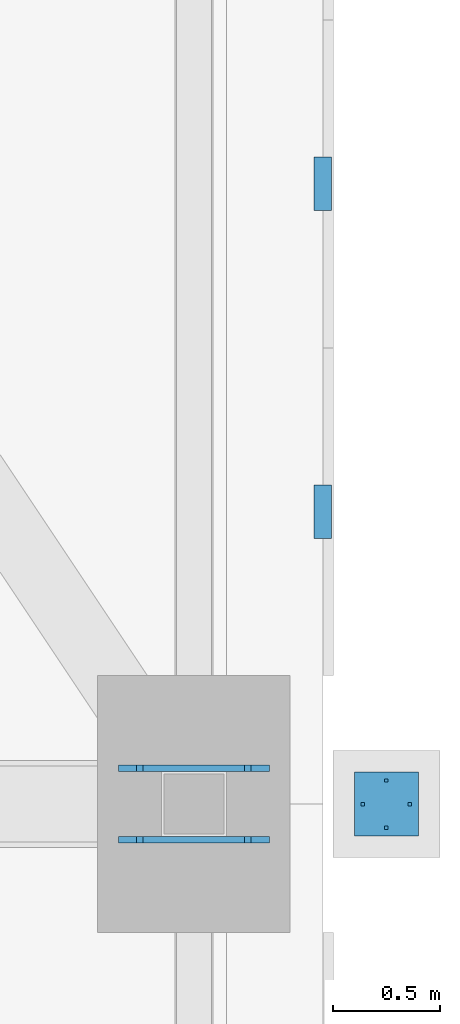
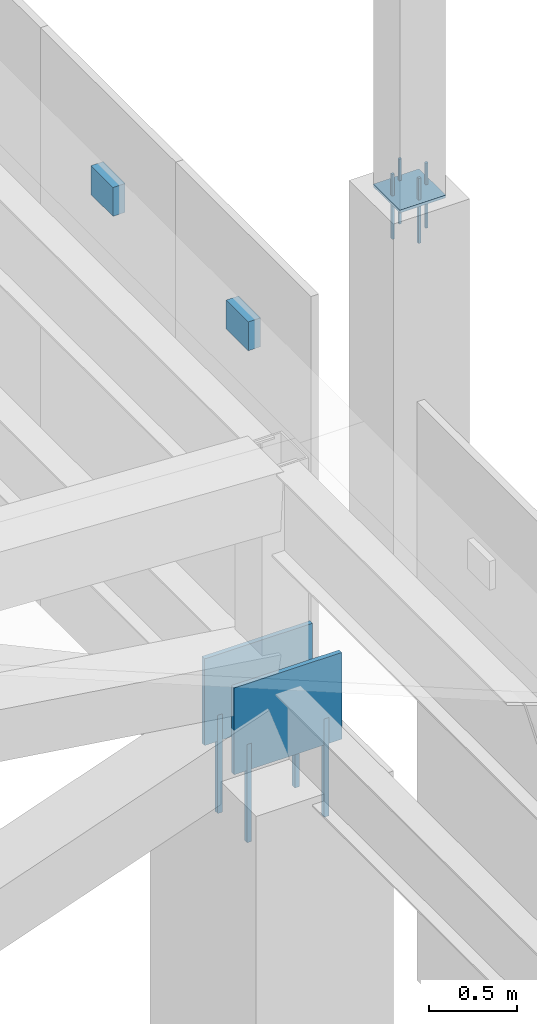
# One storey, part 195 of 278: 8 mechanical fasteners, 5 discrete accessories.
"""IFC4 building model written with IfcOpenShell, lengths in metres."""

from ifc_helpers import new_model, si_unit, direction, frame, origin, origin_2d, place, context, subcontext, project, spatial, rectangle, extrude, material, layer, layer_set, type_object, element, save


model = new_model("IFC4")

# Units and contexts
model_context = context("Model", 3, precision=1e-05, world=origin(), true_north=direction((0.0, 1.0)))
body_context = subcontext(model_context, "Body", "Model", "MODEL_VIEW")
ifc_project = project(units=[si_unit("LENGTHUNIT", "METRE"), si_unit("AREAUNIT", "SQUARE_METRE"), si_unit("VOLUMEUNIT", "CUBIC_METRE"), si_unit("PLANEANGLEUNIT", "RADIAN"), si_unit("MASSUNIT", "GRAM", prefix="KILO")], contexts=[model_context])

# Site, building, storey
site_placement = place(None, origin())
site = spatial("IfcSite", under=ifc_project, at=site_placement, CompositionType="ELEMENT")
building_placement = place(site_placement, origin())
building = spatial("IfcBuilding", under=site, at=building_placement, Name="Ogive Plaza Stadium", CompositionType="ELEMENT")
storey_placement = place(building_placement, frame((0.0, 0.0, 29.0)))
storey = spatial("IfcBuildingStorey", under=building, at=storey_placement, Name="Roof", CompositionType="ELEMENT", Elevation=29.0)

# Mechanical fasteners
ifc_material_1 = material(Name="Steel ASTM A992 Grade 50", Category="steel")
mechanical_fastener_type_1 = type_object("IfcMechanicalFastenerType", Name="Anchor bolt M30 x 600", PredefinedType="ANCHORBOLT", material=ifc_material_1)
for number, where, z_axis, x_axis, name in (
    (1, (84.25244140625, -22.33349609375, 3.0), (0.0, 0.0, 1.0), (1.0, 0.0, 0.0), "ANCHOR BOLT 06 BF 1.1"),
    (2, (83.74755859375, -22.33349609375, 3.0), (0.0, 0.0, 1.0), (1.0, 0.0, 0.0), "ANCHOR BOLT 06 BF 1.2"),
    (3, (84.25244140625, -22.66650390625, 3.0), (0.0, 0.0, 1.0), (1.0, 0.0, 0.0), "ANCHOR BOLT 06 BF 2.1"),
    (4, (83.74755859375, -22.66650390625, 3.0), (0.0, 0.0, 1.0), (1.0, 0.0, 0.0), "ANCHOR BOLT 06 BF 2.2"),
):
    element("IfcMechanicalFastener", number, at=place(storey_placement, frame(where, z_axis=z_axis, x_axis=x_axis)), inside=storey, type_object=mechanical_fastener_type_1, Name=name, PredefinedType="ANCHORBOLT", context=body_context, shape_type="SweptSolid", body=[
        extrude(rectangle(XDim=0.030029296875, YDim=0.030029296875, at=origin_2d()), origin(), (0.0, 0.0, 1.0), 0.679931640625),
    ])
ifc_material_2 = material(Name="Steel ASTM A992 Grade 50", Category="steel")
mechanical_fastener_type_2 = type_object("IfcMechanicalFastenerType", Name="Spire anchor bolt M16 x 450", PredefinedType="ANCHORBOLT", material=ifc_material_2)
for number, where, z_axis, x_axis, name in (
    (5, (85.010009765625, -22.5, 6.7001953125), (0.0, 0.0, 1.0), (1.0, 0.0, 0.0), "SPIRE ANCHOR BOLT 06 1"),
    (6, (84.7900390625, -22.5, 6.7001953125), (0.0, 0.0, 1.0), (1.0, 0.0, 0.0), "SPIRE ANCHOR BOLT 06 2"),
    (7, (84.89990234375, -22.389892578125, 6.7001953125), (0.0, 0.0, 1.0), (1.0, 0.0, 0.0), "SPIRE ANCHOR BOLT 06 3"),
    (8, (84.89990234375, -22.610107421875, 6.7001953125), (0.0, 0.0, 1.0), (1.0, 0.0, 0.0), "SPIRE ANCHOR BOLT 06 4"),
):
    element("IfcMechanicalFastener", number, at=place(storey_placement, frame(where, z_axis=z_axis, x_axis=x_axis)), inside=storey, type_object=mechanical_fastener_type_2, Name=name, PredefinedType="ANCHORBOLT", context=body_context, shape_type="SweptSolid", body=[
        extrude(rectangle(XDim=0.01611328125, YDim=0.01611328125, at=origin_2d()), origin(), (0.0, 0.0, 1.0), 0.449951171875),
    ])

# Discrete accessories
ifc_material_3 = material(Name="Steel ASTM A992 Grade 50", Category="steel")
ifc_layer_1 = layer(ifc_material_3, 0.02001953125)
ifc_layer_set_1 = layer_set([ifc_layer_1], Name="Steel ASTM A992 Grade 50")
discrete_accessory_type_1 = type_object("IfcDiscreteAccessoryType", Name="Spire seat plate 20", PredefinedType="ANCHORPLATE", material=ifc_layer_set_1)
discrete_accessory_placement = place(storey_placement, frame((84.89990234375, -22.5, 6.98095703125), z_axis=(0.0, 0.0, 1.0), x_axis=(1.0, 0.0, 0.0)))
element("IfcDiscreteAccessory", 9, at=discrete_accessory_placement, inside=storey, type_object=discrete_accessory_type_1, Name="SPIRE SEAT PLATE 06", PredefinedType="ANCHORPLATE", context=body_context, shape_type="SweptSolid", body=[
    extrude(rectangle(XDim=0.300048828125, YDim=0.300048828125, at=origin_2d()), origin(), (0.0, 0.0, 1.0), 0.02001953125),
])
ifc_material_4 = material(Name="Steel ASTM A572 Grade 50", Category="steel")
ifc_layer_2 = layer(ifc_material_4, 0.080078125)
ifc_layer_set_2 = layer_set([ifc_layer_2], Name="Steel ASTM A572 Grade 50")
discrete_accessory_type_2 = type_object("IfcDiscreteAccessoryType", Name="Tracery screen bracket 250x200", PredefinedType="BRACKET", material=ifc_layer_set_2)
for number, where, z_axis, x_axis, name in (
    (10, (84.602294921875, -19.60009765625, 5.25), (0.0, 0.0, 1.0), (0.0, -1.0, 0.0), "TRACERY SCREEN BRACKET B05 8"),
    (11, (84.602294921875, -21.13330078125, 5.25), (0.0, 0.0, 1.0), (0.0, -1.0, 0.0), "TRACERY SCREEN BRACKET B05 9"),
):
    element("IfcDiscreteAccessory", number, at=place(storey_placement, frame(where, z_axis=z_axis, x_axis=x_axis)), inside=storey, type_object=discrete_accessory_type_2, Name=name, PredefinedType="BRACKET", context=body_context, shape_type="SweptSolid", body=[
        extrude(rectangle(XDim=0.25, YDim=0.080078125, at=origin_2d()), origin(), (0.0, 0.0, 1.0), 0.199951171875),
    ])
ifc_material_5 = material(Name="Steel ASTM A992 Grade 50", Category="steel")
ifc_layer_3 = layer(ifc_material_5, 0.030029296875)
ifc_layer_set_3 = layer_set([ifc_layer_3], Name="Steel ASTM A992 Grade 50")
discrete_accessory_type_3 = type_object("IfcDiscreteAccessoryType", Name="Truss back-stay foot cleat plate 30", PredefinedType="ANCHORPLATE", material=ifc_layer_set_3)
for number, where, z_axis, x_axis, name in (
    (12, (84.0, -22.33349609375, 3.5), (0.0, 0.0, 1.0), (1.0, 0.0, 0.0), "TRUSS BACK-STAY FOOT CLEAT PLATE 06 1"),
    (13, (84.0, -22.66650390625, 3.5), (0.0, 0.0, 1.0), (1.0, 0.0, 0.0), "TRUSS BACK-STAY FOOT CLEAT PLATE 06 2"),
):
    element("IfcDiscreteAccessory", number, at=place(storey_placement, frame(where, z_axis=z_axis, x_axis=x_axis)), inside=storey, type_object=discrete_accessory_type_3, Name=name, PredefinedType="ANCHORPLATE", context=body_context, shape_type="SweptSolid", body=[
        extrude(rectangle(XDim=0.704833984375, YDim=0.030029296875, at=origin_2d()), origin(), (0.0, 0.0, 1.0), 0.60009765625),
    ])

save(model, "model.ifc")
